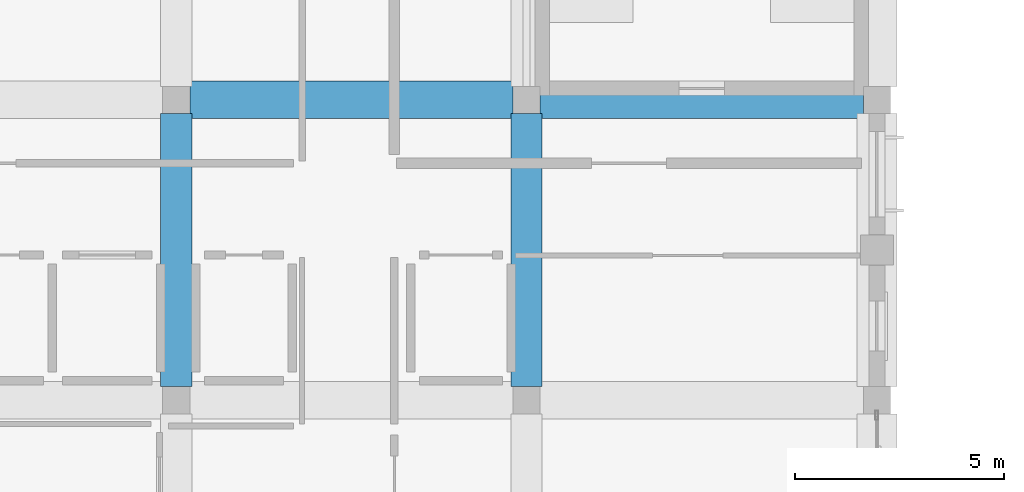
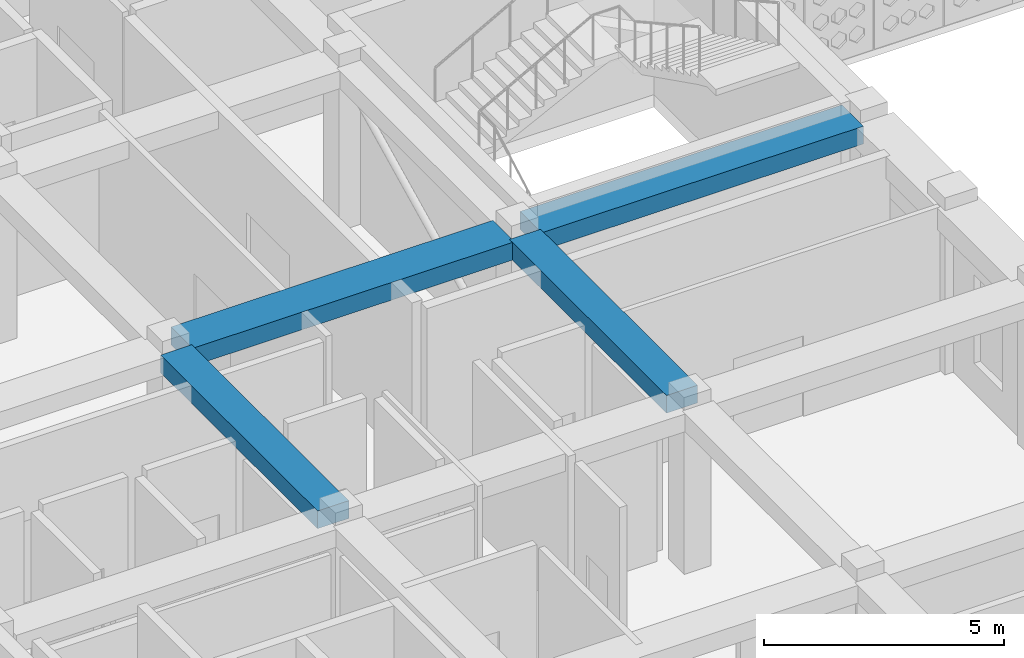
# One storey, part 8 of 79: 4 beams.
"""IFC4 building model written with IfcOpenShell, lengths in metres."""

from ifc_helpers import new_model, si_unit, derived_unit, direction, frame, origin, origin_2d, place, context, subcontext, project, spatial, rectangle, extrude, material, material_profile, profile_set, type_object, element, save


model = new_model("IFC4")

# Units and contexts
model_context = context("Model", 3, precision=1e-05, world=origin(), true_north=direction((0.0, 1.0)))
body_context = subcontext(model_context, "Body", "Model", "MODEL_VIEW")
ifc_project = project(units=[si_unit("LENGTHUNIT", "METRE"), si_unit("AREAUNIT", "SQUARE_METRE"), si_unit("VOLUMEUNIT", "CUBIC_METRE"), si_unit("PLANEANGLEUNIT", "RADIAN"), si_unit("MASSUNIT", "GRAM", prefix="KILO"), derived_unit("THERMALTRANSMITTANCEUNIT", [(si_unit("POWERUNIT", "WATT"), 1), (si_unit("LENGTHUNIT", "METRE"), -2), (si_unit("THERMODYNAMICTEMPERATUREUNIT", "KELVIN"), -1)])], contexts=[model_context])

# Site, building, storey
site_placement = place(None, origin())
site = spatial("IfcSite", under=ifc_project, at=site_placement, CompositionType="ELEMENT")
building_placement = place(site_placement, origin())
building = spatial("IfcBuilding", under=site, at=building_placement, Name="Veybourne Emporium", CompositionType="ELEMENT")
storey_placement = place(building_placement, frame((0.0, 0.0, 18.89990234375)))
storey = spatial("IfcBuildingStorey", under=building, at=storey_placement, Name="L04", CompositionType="ELEMENT", Elevation=18.89990234375)

# Beams
ifc_material = material(Name="Concrete C32/40", Category="concrete")
ifc_material_profile_1 = material_profile(ifc_material, rectangle(XDim=0.89990234375, YDim=0.449951171875, at=origin_2d()), Name="RC 900x450")
ifc_profile_set_1 = profile_set([ifc_material_profile_1], Name="Concrete C32/40")
beam_type_1 = type_object("IfcBeamType", Name="RCBeam_BB-03", PredefinedType="BEAM", material=ifc_profile_set_1)
for number, where, z_axis, x_axis, name in (
    (1, (33.925048828125, 28.800048828125, 3.955078125), (1.0, 0.0, 0.0), (0.0, 1.0, 0.0), "L04 X-grid beam BB-03 (4,4)"),
    (2, (42.324951171875, 28.800048828125, 3.955078125), (1.0, 0.0, 0.0), (0.0, 1.0, 0.0), "L04 X-grid beam BB-03 (5,4)"),
):
    element("IfcBeam", number, at=place(storey_placement, frame(where, z_axis=z_axis, x_axis=x_axis)), inside=storey, type_object=beam_type_1, Name=name, PredefinedType="BEAM", context=body_context, shape_type="SweptSolid", body=[
        extrude(rectangle(XDim=0.89990234375, YDim=0.449951171875, at=origin_2d()), origin(), (0.0, 0.0, 1.0), 7.75),
    ])
ifc_material_profile_2 = material_profile(ifc_material, rectangle(XDim=0.75, YDim=0.449951171875, at=origin_2d()), Name="RC 750x450")
ifc_profile_set_2 = profile_set([ifc_material_profile_2], Name="Concrete C32/40")
beam_type_2 = type_object("IfcBeamType", Name="RCBeam_BB-04", PredefinedType="BEAM", material=ifc_profile_set_2)
for number, where, z_axis, x_axis, name in (
    (3, (33.60009765625, 21.925048828125, 3.955078125), (0.0, 1.0, 0.0), (-1.0, 0.0, 0.0), "L04 Y-grid beam BB-04 (4,3)"),
    (4, (42.0, 21.925048828125, 3.955078125), (0.0, 1.0, 0.0), (-1.0, 0.0, 0.0), "L04 Y-grid beam BB-04 (5,3)"),
):
    element("IfcBeam", number, at=place(storey_placement, frame(where, z_axis=z_axis, x_axis=x_axis)), inside=storey, type_object=beam_type_2, Name=name, PredefinedType="BEAM", context=body_context, shape_type="SweptSolid", body=[
        extrude(rectangle(XDim=0.75, YDim=0.449951171875, at=origin_2d()), origin(), (0.0, 0.0, 1.0), 6.550048828125),
    ])

save(model, "model.ifc")
